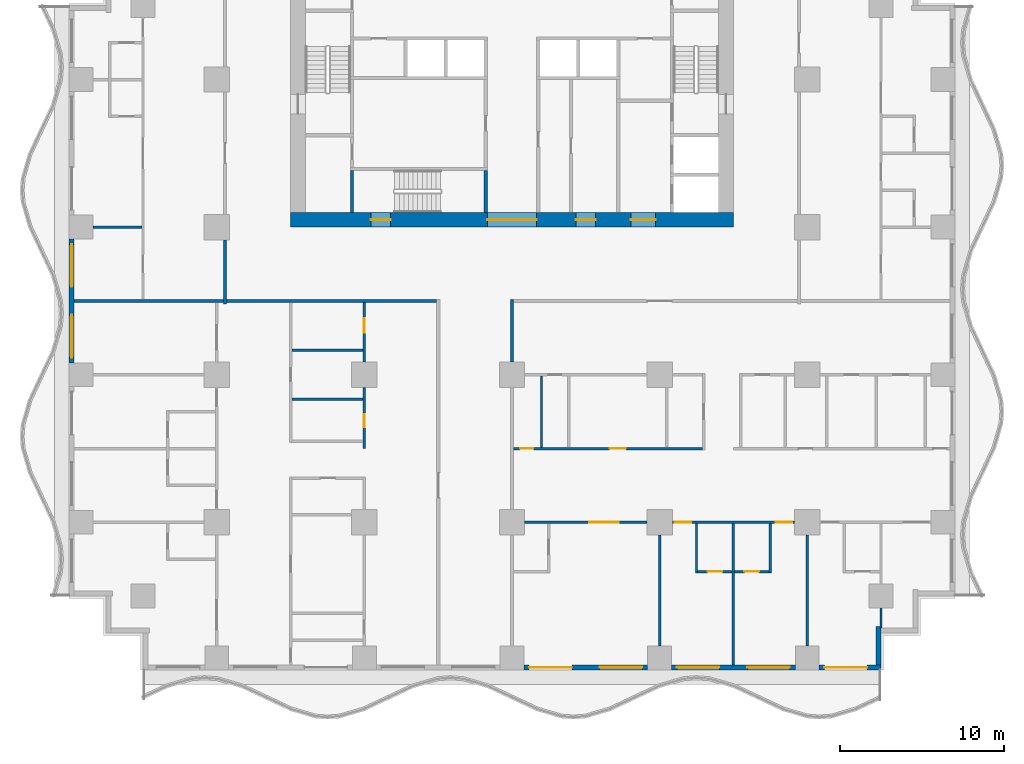
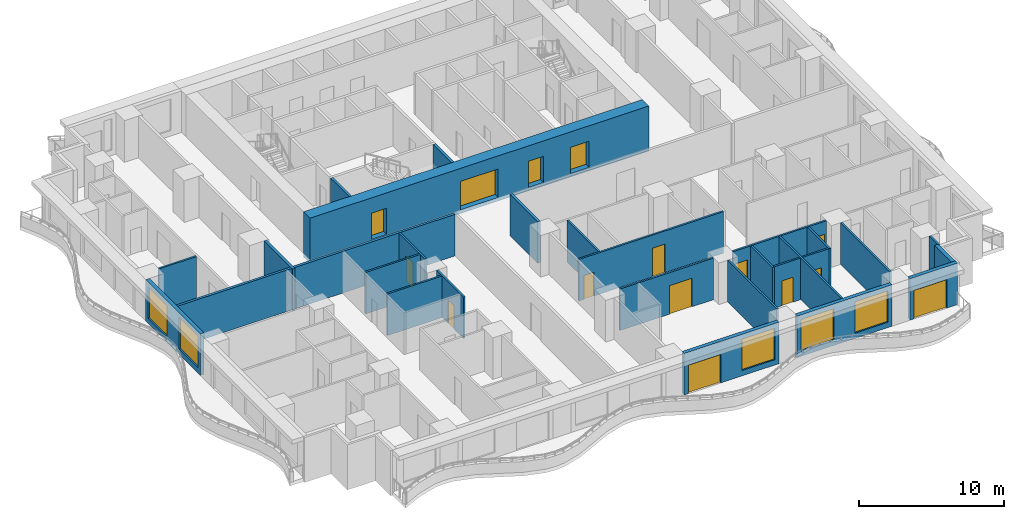
# One storey, part 3 of 14: 29 walls, 15 doors, 5 windows, 20 openings.
"""IFC4 building model written with IfcOpenShell, lengths in metres."""

from ifc_helpers import new_model, si_unit, direction, frame, frame_2d, origin, place, context, subcontext, project, spatial, rectangle, extrude, material, layer, layer_set, type_object, element, fill, save


model = new_model("IFC4")

# Units and contexts
model_context = context("Model", 3, precision=1e-05, world=origin(), true_north=direction((0.0, 1.0)))
body_context = subcontext(model_context, "Body", "Model", "MODEL_VIEW")
ifc_project = project(units=[si_unit("LENGTHUNIT", "METRE"), si_unit("AREAUNIT", "SQUARE_METRE"), si_unit("VOLUMEUNIT", "CUBIC_METRE"), si_unit("PLANEANGLEUNIT", "RADIAN"), si_unit("MASSUNIT", "GRAM", prefix="KILO")], contexts=[model_context])

# Site, building, storey
site_placement = place(None, origin())
site = spatial("IfcSite", under=ifc_project, at=site_placement, CompositionType="ELEMENT")
building_placement = place(site_placement, origin())
building = spatial("IfcBuilding", under=site, at=building_placement, Name="Orbiselva Terraces", CompositionType="ELEMENT")
storey_placement = place(building_placement, frame((0.0, 0.0, 30.2)))
storey = spatial("IfcBuildingStorey", under=building, at=storey_placement, Name="L07", CompositionType="ELEMENT", Elevation=30.2)

# Wall, openings, doors
ifc_material_1 = material(Name="Concrete C80/95", Category="concrete")
ifc_layer_1 = layer(ifc_material_1, 0.9)
ifc_layer_set_1 = layer_set([ifc_layer_1], Name="Concrete C80/95")
wall_type_1 = type_object("IfcWallType", Name="CORE WALL 900", PredefinedType="SHEAR", material=ifc_layer_set_1)
wall_1_placement = place(storey_placement, frame((-13.5, 4.95, -0.3), z_axis=(0.0, 0.0, 1.0), x_axis=(1.0, 0.0, 0.0)))
wall_1 = element("IfcWall", 1, at=wall_1_placement, inside=storey, type_object=wall_type_1, Name="Core wall L07 south", PredefinedType="SHEAR", context=body_context, shape_type="SweptSolid", body=[
    extrude(rectangle(XDim=27.0, YDim=0.9, at=frame_2d((13.5, 0.0))), origin(), (0.0, 0.0, 1.0), 3.8),
])
opening_1_placement = place(wall_1_placement, frame((12.0, 0.0, 0.3)))
opening_1 = element("IfcOpeningElement", 2, at=opening_1_placement, cuts=wall_1, Name="Opening DL3000", PredefinedType="OPENING", context=body_context, shape_type="SweptSolid", body=[
    extrude(rectangle(XDim=3.0, YDim=2.4, at=frame_2d((1.5, 1.2))), frame((0.0, 0.46, 0.0), z_axis=(0.0, -1.0, 0.0), x_axis=(1.0, 0.0, 0.0)), (0.0, 0.0, 1.0), 0.92),
])
opening_2_placement = place(wall_1_placement, frame((4.9, 0.0, 0.3)))
opening_2 = element("IfcOpeningElement", 3, at=opening_2_placement, cuts=wall_1, Name="Opening DS1200", PredefinedType="OPENING", context=body_context, shape_type="SweptSolid", body=[
    extrude(rectangle(XDim=1.2, YDim=2.2, at=frame_2d((0.6, 1.1))), frame((0.0, 0.46, 0.0), z_axis=(0.0, -1.0, 0.0), x_axis=(1.0, 0.0, 0.0)), (0.0, 0.0, 1.0), 0.92),
])
opening_3_placement = place(wall_1_placement, frame((20.75, 0.0, 0.3)))
opening_3 = element("IfcOpeningElement", 4, at=opening_3_placement, cuts=wall_1, Name="Opening DF1500", PredefinedType="OPENING", context=body_context, shape_type="SweptSolid", body=[
    extrude(rectangle(XDim=1.5, YDim=2.2, at=frame_2d((0.75, 1.1))), frame((0.0, 0.46, 0.0), z_axis=(0.0, -1.0, 0.0), x_axis=(1.0, 0.0, 0.0)), (0.0, 0.0, 1.0), 0.92),
])
opening_4_placement = place(wall_1_placement, frame((17.4, 0.0, 0.3)))
opening_4 = element("IfcOpeningElement", 5, at=opening_4_placement, cuts=wall_1, Name="Opening DV1200", PredefinedType="OPENING", context=body_context, shape_type="SweptSolid", body=[
    extrude(rectangle(XDim=1.2, YDim=2.2, at=frame_2d((0.6, 1.1))), frame((0.0, 0.46, 0.0), z_axis=(0.0, -1.0, 0.0), x_axis=(1.0, 0.0, 0.0)), (0.0, 0.0, 1.0), 0.92),
])
ifc_material_2 = material(Name="Steel fire door", Category="steel")
door_type_1 = type_object("IfcDoorType", Name="FFL DOOR 1500", OperationType="DOUBLE_DOOR_SINGLE_SWING", PredefinedType="DOOR", material=ifc_material_2)
door_1_placement = place(opening_3_placement, frame((1.5, 0.0, 0.0), z_axis=(0.0, 0.0, 1.0), x_axis=(-1.0, 0.0, 0.0)))
door_1 = element("IfcDoor", 6, at=door_1_placement, inside=storey, type_object=door_type_1, Name="L07 FIRE-FIGHTING LOBBY door", OperationType="DOUBLE_DOOR_SINGLE_SWING", OverallHeight=2.2, OverallWidth=1.5, PredefinedType="DOOR", context=body_context, shape_type="SweptSolid", body=[
    extrude(rectangle(XDim=1.5, YDim=2.2, at=frame_2d((0.75, 1.1))), frame((0.0, 0.025, 0.0), z_axis=(0.0, -1.0, 0.0), x_axis=(1.0, 0.0, 0.0)), (0.0, 0.0, 1.0), 0.05),
])
fill(opening_3, door_1)
door_type_2 = type_object("IfcDoorType", Name="LOBBY DOOR 3000", OperationType="DOUBLE_DOOR_SINGLE_SWING", PredefinedType="DOOR", material=ifc_material_2)
door_2_placement = place(opening_1_placement, frame((3.0, 0.0, 0.0), z_axis=(0.0, 0.0, 1.0), x_axis=(-1.0, 0.0, 0.0)))
door_2 = element("IfcDoor", 7, at=door_2_placement, inside=storey, type_object=door_type_2, Name="L07 LIFT LOBBY door", OperationType="DOUBLE_DOOR_SINGLE_SWING", OverallHeight=2.4, OverallWidth=3.0, PredefinedType="DOOR", context=body_context, shape_type="SweptSolid", body=[
    extrude(rectangle(XDim=3.0, YDim=2.4, at=frame_2d((1.5, 1.2))), frame((0.0, 0.025, 0.0), z_axis=(0.0, -1.0, 0.0), x_axis=(1.0, 0.0, 0.0)), (0.0, 0.0, 1.0), 0.05),
])
fill(opening_1, door_2)
door_type_3 = type_object("IfcDoorType", Name="SERVICE DOOR 1200", OperationType="NOTDEFINED", PredefinedType="DOOR", material=ifc_material_2)
door_3_placement = place(opening_4_placement, frame((1.2, 0.0, 0.0), z_axis=(0.0, 0.0, 1.0), x_axis=(-1.0, 0.0, 0.0)))
door_3 = element("IfcDoor", 8, at=door_3_placement, inside=storey, type_object=door_type_3, Name="L07 SERVICE ROOM door", OperationType="SINGLE_SWING_RIGHT", OverallHeight=2.2, OverallWidth=1.2, PredefinedType="DOOR", context=body_context, shape_type="SweptSolid", body=[
    extrude(rectangle(XDim=1.2, YDim=2.2, at=frame_2d((0.6, 1.1))), frame((0.0, 0.025, 0.0), z_axis=(0.0, -1.0, 0.0), x_axis=(1.0, 0.0, 0.0)), (0.0, 0.0, 1.0), 0.05),
])
fill(opening_4, door_3)
door_type_4 = type_object("IfcDoorType", Name="STAIR DOOR 1200", OperationType="NOTDEFINED", PredefinedType="DOOR", material=ifc_material_2)
door_4_placement = place(opening_2_placement, frame((1.2, 0.0, 0.0), z_axis=(0.0, 0.0, 1.0), x_axis=(-1.0, 0.0, 0.0)))
door_4 = element("IfcDoor", 9, at=door_4_placement, inside=storey, type_object=door_type_4, Name="L07 EXIT STAIR S3 door", OperationType="SINGLE_SWING_LEFT", OverallHeight=2.2, OverallWidth=1.2, PredefinedType="DOOR", context=body_context, shape_type="SweptSolid", body=[
    extrude(rectangle(XDim=1.2, YDim=2.2, at=frame_2d((0.6, 1.1))), frame((0.0, 0.025, 0.0), z_axis=(0.0, -1.0, 0.0), x_axis=(1.0, 0.0, 0.0)), (0.0, 0.0, 1.0), 0.05),
])
fill(opening_2, door_4)

# Walls
ifc_material_3 = material(Name="Concrete C60/75", Category="concrete")
ifc_layer_2 = layer(ifc_material_3, 0.2)
ifc_layer_set_2 = layer_set([ifc_layer_2], Name="Concrete C60/75")
wall_type_2 = type_object("IfcWallType", Name="CORE-WALL-SHEAR-200", PredefinedType="SHEAR", material=ifc_layer_set_2)
for number, where, z_axis, x_axis, name in (
    (10, (-9.75, 5.4, 0.0), (0.0, 0.0, 1.0), (0.0, 1.0, 0.0), "L07 core wall 03"),
    (11, (-1.6, 5.4, 0.0), (0.0, 0.0, 1.0), (0.0, 1.0, 0.0), "L07 core wall 19"),
):
    element("IfcWall", number, at=place(storey_placement, frame(where, z_axis=z_axis, x_axis=x_axis)), inside=storey, type_object=wall_type_2, Name=name, PredefinedType="SHEAR", context=body_context, shape_type="SweptSolid", body=[
        extrude(rectangle(XDim=2.55, YDim=0.2, at=frame_2d((1.275, 0.0))), origin(), (0.0, 0.0, 1.0), 3.5),
    ])

# Wall, openings, door, window
ifc_material_4 = material(Name="Terracotta cladding on masonry backing", Category="masonry")
ifc_layer_3 = layer(ifc_material_4, 0.3)
ifc_layer_set_3 = layer_set([ifc_layer_3], Name="Terracotta cladding on masonry backing")
wall_type_3 = type_object("IfcWallType", Name="ENV-WALL-TERRACOTTA-300", PredefinedType="SOLIDWALL", material=ifc_layer_set_3)
wall_2_placement = place(storey_placement, frame((8.275, -22.35, 0.0), z_axis=(0.0, 0.0, 1.0), x_axis=(-1.0, 0.0, 0.0)))
wall_2 = element("IfcWall", 12, at=wall_2_placement, inside=storey, type_object=wall_type_3, Name="Facade wall L07 S", PredefinedType="SOLIDWALL", context=body_context, shape_type="SweptSolid", body=[
    extrude(rectangle(XDim=7.55, YDim=0.3, at=frame_2d((3.775, 0.0))), origin(), (0.0, 0.0, 1.0), 3.5),
])
opening_5_placement = place(wall_2_placement, frame((4.625, 0.0, 0.0)))
opening_5 = element("IfcOpeningElement", 13, at=opening_5_placement, cuts=wall_2, Name="Opening Z1-B-E13", PredefinedType="OPENING", context=body_context, shape_type="SweptSolid", body=[
    extrude(rectangle(XDim=2.6, YDim=2.4, at=frame_2d((1.3, 1.2))), frame((0.0, 0.16, 0.0), z_axis=(0.0, -1.0, 0.0), x_axis=(1.0, 0.0, 0.0)), (0.0, 0.0, 1.0), 0.32),
])
opening_6_placement = place(wall_2_placement, frame((0.325, 0.0, 0.45)))
opening_6 = element("IfcOpeningElement", 14, at=opening_6_placement, cuts=wall_2, Name="Opening WN1", PredefinedType="OPENING", context=body_context, shape_type="SweptSolid", body=[
    extrude(rectangle(XDim=2.6, YDim=2.65, at=frame_2d((1.3, 1.325))), frame((0.0, 0.16, 0.0), z_axis=(0.0, -1.0, 0.0), x_axis=(1.0, 0.0, 0.0)), (0.0, 0.0, 1.0), 0.32),
])
ifc_material_5 = material(Name="Clear low-e glazing in aluminium frame", Category="aluminium")
door_type_5 = type_object("IfcDoorType", Name="BALCONY DOOR 2600 X 2400", OperationType="DOUBLE_DOOR_SLIDING", PredefinedType="DOOR", material=ifc_material_5)
door_5_placement = place(opening_5_placement, origin())
door_5 = element("IfcDoor", 15, at=door_5_placement, inside=storey, type_object=door_type_5, Name="Z1-B-E13", OperationType="SINGLE_SWING_LEFT", OverallHeight=2.4, OverallWidth=2.6, PredefinedType="DOOR", context=body_context, shape_type="SweptSolid", body=[
    extrude(rectangle(XDim=2.6, YDim=2.4, at=frame_2d((1.3, 1.2))), frame((0.0, 0.025, 0.0), z_axis=(0.0, -1.0, 0.0), x_axis=(1.0, 0.0, 0.0)), (0.0, 0.0, 1.0), 0.05),
])
fill(opening_5, door_5)
window_type = type_object("IfcWindowType", Name="WINDOW 2600 X 2650 S450", PartitioningType="TRIPLE_PANEL_VERTICAL", PredefinedType="WINDOW", material=ifc_material_5)
window_1_placement = place(opening_6_placement, origin())
window_1 = element("IfcWindow", 16, at=window_1_placement, inside=storey, type_object=window_type, Name="Window L07 S", OverallHeight=2.65, OverallWidth=2.6, PartitioningType="SINGLE_PANEL", PredefinedType="WINDOW", context=body_context, shape_type="SweptSolid", body=[
    extrude(rectangle(XDim=2.6, YDim=2.65, at=frame_2d((1.3, 1.325))), frame((0.0, 0.03, 0.0), z_axis=(0.0, -1.0, 0.0), x_axis=(1.0, 0.0, 0.0)), (0.0, 0.0, 1.0), 0.06),
])
fill(opening_6, window_1)

# Wall, openings, windows
wall_3_placement = place(storey_placement, frame((17.275, -22.35, 0.0), z_axis=(0.0, 0.0, 1.0), x_axis=(-1.0, 0.0, 0.0)))
wall_3 = element("IfcWall", 17, at=wall_3_placement, inside=storey, type_object=wall_type_3, Name="Facade wall L07 S", PredefinedType="SOLIDWALL", context=body_context, shape_type="SweptSolid", body=[
    extrude(rectangle(XDim=7.55, YDim=0.3, at=frame_2d((3.775, 0.0))), origin(), (0.0, 0.0, 1.0), 3.5),
])
opening_7_placement = place(wall_3_placement, frame((4.625, 0.0, 0.45)))
opening_7 = element("IfcOpeningElement", 18, at=opening_7_placement, cuts=wall_3, Name="Opening WN1", PredefinedType="OPENING", context=body_context, shape_type="SweptSolid", body=[
    extrude(rectangle(XDim=2.6, YDim=2.65, at=frame_2d((1.3, 1.325))), frame((0.0, 0.16, 0.0), z_axis=(0.0, -1.0, 0.0), x_axis=(1.0, 0.0, 0.0)), (0.0, 0.0, 1.0), 0.32),
])
opening_8_placement = place(wall_3_placement, frame((0.325, 0.0, 0.45)))
opening_8 = element("IfcOpeningElement", 19, at=opening_8_placement, cuts=wall_3, Name="Opening WN1", PredefinedType="OPENING", context=body_context, shape_type="SweptSolid", body=[
    extrude(rectangle(XDim=2.6, YDim=2.65, at=frame_2d((1.3, 1.325))), frame((0.0, 0.16, 0.0), z_axis=(0.0, -1.0, 0.0), x_axis=(1.0, 0.0, 0.0)), (0.0, 0.0, 1.0), 0.32),
])
window_2_placement = place(opening_7_placement, origin())
window_2 = element("IfcWindow", 20, at=window_2_placement, inside=storey, type_object=window_type, Name="Window L07 S", OverallHeight=2.65, OverallWidth=2.6, PartitioningType="SINGLE_PANEL", PredefinedType="WINDOW", context=body_context, shape_type="SweptSolid", body=[
    extrude(rectangle(XDim=2.6, YDim=2.65, at=frame_2d((1.3, 1.325))), frame((0.0, 0.03, 0.0), z_axis=(0.0, -1.0, 0.0), x_axis=(1.0, 0.0, 0.0)), (0.0, 0.0, 1.0), 0.06),
])
fill(opening_7, window_2)
window_3_placement = place(opening_8_placement, origin())
window_3 = element("IfcWindow", 21, at=window_3_placement, inside=storey, type_object=window_type, Name="Window L07 S", OverallHeight=2.65, OverallWidth=2.6, PartitioningType="SINGLE_PANEL", PredefinedType="WINDOW", context=body_context, shape_type="SweptSolid", body=[
    extrude(rectangle(XDim=2.6, YDim=2.65, at=frame_2d((1.3, 1.325))), frame((0.0, 0.03, 0.0), z_axis=(0.0, -1.0, 0.0), x_axis=(1.0, 0.0, 0.0)), (0.0, 0.0, 1.0), 0.06),
])
fill(opening_8, window_3)

# Wall, opening, door
wall_4_placement = place(storey_placement, frame((22.5, -22.35, 0.0), z_axis=(0.0, 0.0, 1.0), x_axis=(-1.0, 0.0, 0.0)))
wall_4 = element("IfcWall", 22, at=wall_4_placement, inside=storey, type_object=wall_type_3, Name="Facade wall L07 S", PredefinedType="SOLIDWALL", context=body_context, shape_type="SweptSolid", body=[
    extrude(rectangle(XDim=3.775, YDim=0.3, at=frame_2d((1.8875, 0.0))), origin(), (0.0, 0.0, 1.0), 3.5),
])
opening_9_placement = place(wall_4_placement, frame((0.85, 0.0, 0.0)))
opening_9 = element("IfcOpeningElement", 23, at=opening_9_placement, cuts=wall_4, Name="Opening Z1-B-E04", PredefinedType="OPENING", context=body_context, shape_type="SweptSolid", body=[
    extrude(rectangle(XDim=2.6, YDim=2.4, at=frame_2d((1.3, 1.2))), frame((0.0, 0.16, 0.0), z_axis=(0.0, -1.0, 0.0), x_axis=(1.0, 0.0, 0.0)), (0.0, 0.0, 1.0), 0.32),
])
door_6_placement = place(opening_9_placement, origin())
door_6 = element("IfcDoor", 24, at=door_6_placement, inside=storey, type_object=door_type_5, Name="Z1-B-E04", OperationType="SINGLE_SWING_LEFT", OverallHeight=2.4, OverallWidth=2.6, PredefinedType="DOOR", context=body_context, shape_type="SweptSolid", body=[
    extrude(rectangle(XDim=2.6, YDim=2.4, at=frame_2d((1.3, 1.2))), frame((0.0, 0.025, 0.0), z_axis=(0.0, -1.0, 0.0), x_axis=(1.0, 0.0, 0.0)), (0.0, 0.0, 1.0), 0.05),
])
fill(opening_9, door_6)

# Wall
wall_5_placement = place(storey_placement, frame((22.35, -19.85, 0.0), z_axis=(0.0, 0.0, 1.0), x_axis=(0.0, -1.0, 0.0)))
element("IfcWall", 25, at=wall_5_placement, inside=storey, type_object=wall_type_3, Name="Facade wall L07 STEP", PredefinedType="SOLIDWALL", context=body_context, shape_type="SweptSolid", body=[
    extrude(rectangle(XDim=2.35, YDim=0.3, at=frame_2d((1.175, 0.0))), origin(), (0.0, 0.0, 1.0), 3.5),
])

# Wall, openings, windows
wall_6_placement = place(storey_placement, frame((-26.85, -3.775, 0.0), z_axis=(0.0, 0.0, 1.0), x_axis=(0.0, 1.0, 0.0)))
wall_6 = element("IfcWall", 26, at=wall_6_placement, inside=storey, type_object=wall_type_3, Name="Facade wall L07 W", PredefinedType="SOLIDWALL", context=body_context, shape_type="SweptSolid", body=[
    extrude(rectangle(XDim=7.55, YDim=0.3, at=frame_2d((3.775, 0.0))), origin(), (0.0, 0.0, 1.0), 3.5),
])
opening_10_placement = place(wall_6_placement, frame((4.625, 0.0, 0.45)))
opening_10 = element("IfcOpeningElement", 27, at=opening_10_placement, cuts=wall_6, Name="Opening WN1", PredefinedType="OPENING", context=body_context, shape_type="SweptSolid", body=[
    extrude(rectangle(XDim=2.6, YDim=2.65, at=frame_2d((1.3, 1.325))), frame((0.0, 0.16, 0.0), z_axis=(0.0, -1.0, 0.0), x_axis=(1.0, 0.0, 0.0)), (0.0, 0.0, 1.0), 0.32),
])
opening_11_placement = place(wall_6_placement, frame((0.325, 0.0, 0.45)))
opening_11 = element("IfcOpeningElement", 28, at=opening_11_placement, cuts=wall_6, Name="Opening WN1", PredefinedType="OPENING", context=body_context, shape_type="SweptSolid", body=[
    extrude(rectangle(XDim=2.6, YDim=2.65, at=frame_2d((1.3, 1.325))), frame((0.0, 0.16, 0.0), z_axis=(0.0, -1.0, 0.0), x_axis=(1.0, 0.0, 0.0)), (0.0, 0.0, 1.0), 0.32),
])
window_4_placement = place(opening_10_placement, origin())
window_4 = element("IfcWindow", 29, at=window_4_placement, inside=storey, type_object=window_type, Name="Window L07 W", OverallHeight=2.65, OverallWidth=2.6, PartitioningType="SINGLE_PANEL", PredefinedType="WINDOW", context=body_context, shape_type="SweptSolid", body=[
    extrude(rectangle(XDim=2.6, YDim=2.65, at=frame_2d((1.3, 1.325))), frame((0.0, 0.03, 0.0), z_axis=(0.0, -1.0, 0.0), x_axis=(1.0, 0.0, 0.0)), (0.0, 0.0, 1.0), 0.06),
])
fill(opening_10, window_4)
window_5_placement = place(opening_11_placement, origin())
window_5 = element("IfcWindow", 30, at=window_5_placement, inside=storey, type_object=window_type, Name="Window L07 W", OverallHeight=2.65, OverallWidth=2.6, PartitioningType="SINGLE_PANEL", PredefinedType="WINDOW", context=body_context, shape_type="SweptSolid", body=[
    extrude(rectangle(XDim=2.6, YDim=2.65, at=frame_2d((1.3, 1.325))), frame((0.0, 0.03, 0.0), z_axis=(0.0, -1.0, 0.0), x_axis=(1.0, 0.0, 0.0)), (0.0, 0.0, 1.0), 0.06),
])
fill(opening_11, window_5)

# Walls
ifc_material_6 = material(Name="Plasterboard on steel stud partition", Category="steel")
ifc_layer_4 = layer(ifc_material_6, 0.2)
ifc_layer_set_4 = layer_set([ifc_layer_4], Name="Plasterboard on steel stud partition")
wall_type_4 = type_object("IfcWallType", Name="UNIT-ENTRANCE-WALL-200", PredefinedType="PARTITIONING", material=ifc_layer_set_4)
wall_7_placement = place(storey_placement, frame((-17.4, 0.0, 0.0), z_axis=(0.0, 0.0, 1.0), x_axis=(1.0, 0.0, 0.0)))
element("IfcWall", 31, at=wall_7_placement, inside=storey, type_object=wall_type_4, Name="PARTITION L07-028", PredefinedType="PARTITIONING", context=body_context, shape_type="SweptSolid", body=[
    extrude(rectangle(XDim=12.8, YDim=0.2, at=frame_2d((6.4, 0.0))), origin(), (0.0, 0.0, 1.0), 3.5),
])
wall_8_placement = place(storey_placement, frame((-17.5, -0.2, 0.0), z_axis=(0.0, 0.0, 1.0), x_axis=(0.0, 1.0, 0.0)))
element("IfcWall", 32, at=wall_8_placement, inside=storey, type_object=wall_type_4, Name="PARTITION L07-049", PredefinedType="PARTITIONING", context=body_context, shape_type="SweptSolid", body=[
    extrude(rectangle(XDim=3.925, YDim=0.2, at=frame_2d((1.9625, 0.0))), origin(), (0.0, 0.0, 1.0), 3.5),
])
wall_9_placement = place(storey_placement, frame((0.0, -3.725, 0.0), z_axis=(0.0, 0.0, 1.0), x_axis=(0.0, 1.0, 0.0)))
element("IfcWall", 33, at=wall_9_placement, inside=storey, type_object=wall_type_4, Name="PARTITION L07-061", PredefinedType="PARTITIONING", context=body_context, shape_type="SweptSolid", body=[
    extrude(rectangle(XDim=3.825, YDim=0.2, at=frame_2d((1.9125, 0.0))), origin(), (0.0, 0.0, 1.0), 3.5),
])

# Wall, opening, door
ifc_layer_5 = layer(ifc_material_6, 0.15)
ifc_layer_set_5 = layer_set([ifc_layer_5], Name="Plasterboard on steel stud partition")
wall_type_5 = type_object("IfcWallType", Name="UNIT-PARTITION-150", PredefinedType="PARTITIONING", material=ifc_layer_set_5)
wall_10_placement = place(storey_placement, frame((11.325, -16.5, 0.0), z_axis=(0.0, 0.0, 1.0), x_axis=(1.0, 0.0, 0.0)))
wall_10 = element("IfcWall", 34, at=wall_10_placement, inside=storey, type_object=wall_type_5, Name="PARTITION L07-004", PredefinedType="PARTITIONING", context=body_context, shape_type="SweptSolid", body=[
    extrude(rectangle(XDim=2.1, YDim=0.15, at=frame_2d((1.05, 0.0))), origin(), (0.0, 0.0, 1.0), 3.5),
])
opening_12_placement = place(wall_10_placement, frame((0.6, 0.0, 0.0)))
opening_12 = element("IfcOpeningElement", 35, at=opening_12_placement, cuts=wall_10, Name="Opening Z1-B-41", PredefinedType="OPENING", context=body_context, shape_type="SweptSolid", body=[
    extrude(rectangle(XDim=0.9, YDim=2.1, at=frame_2d((0.45, 1.05))), frame((0.0, 0.085, 0.0), z_axis=(0.0, -1.0, 0.0), x_axis=(1.0, 0.0, 0.0)), (0.0, 0.0, 1.0), 0.17),
])
ifc_material_7 = material(Name="Painted timber door leaf", Category="wood")
door_type_6 = type_object("IfcDoorType", Name="BATH DOOR 900", OperationType="NOTDEFINED", PredefinedType="DOOR", material=ifc_material_7)
door_7_placement = place(opening_12_placement, origin())
door_7 = element("IfcDoor", 36, at=door_7_placement, inside=storey, type_object=door_type_6, Name="Z1-B-41", OperationType="SINGLE_SWING_LEFT", OverallHeight=2.1, OverallWidth=0.9, PredefinedType="DOOR", context=body_context, shape_type="SweptSolid", body=[
    extrude(rectangle(XDim=0.9, YDim=2.1, at=frame_2d((0.45, 1.05))), frame((0.0, 0.025, 0.0), z_axis=(0.0, -1.0, 0.0), x_axis=(1.0, 0.0, 0.0)), (0.0, 0.0, 1.0), 0.05),
])
fill(opening_12, door_7)

wall_11_placement = place(storey_placement, frame((13.575, -16.5, 0.0), z_axis=(0.0, 0.0, 1.0), x_axis=(1.0, 0.0, 0.0)))
wall_11 = element("IfcWall", 37, at=wall_11_placement, inside=storey, type_object=wall_type_5, Name="PARTITION L07-005", PredefinedType="PARTITIONING", context=body_context, shape_type="SweptSolid", body=[
    extrude(rectangle(XDim=2.1, YDim=0.15, at=frame_2d((1.05, 0.0))), origin(), (0.0, 0.0, 1.0), 3.5),
])
opening_13_placement = place(wall_11_placement, frame((0.6, 0.0, 0.0)))
opening_13 = element("IfcOpeningElement", 38, at=opening_13_placement, cuts=wall_11, Name="Opening Z1-B-43", PredefinedType="OPENING", context=body_context, shape_type="SweptSolid", body=[
    extrude(rectangle(XDim=0.9, YDim=2.1, at=frame_2d((0.45, 1.05))), frame((0.0, 0.085, 0.0), z_axis=(0.0, -1.0, 0.0), x_axis=(1.0, 0.0, 0.0)), (0.0, 0.0, 1.0), 0.17),
])
door_8_placement = place(opening_13_placement, origin())
door_8 = element("IfcDoor", 39, at=door_8_placement, inside=storey, type_object=door_type_6, Name="Z1-B-43", OperationType="SINGLE_SWING_LEFT", OverallHeight=2.1, OverallWidth=0.9, PredefinedType="DOOR", context=body_context, shape_type="SweptSolid", body=[
    extrude(rectangle(XDim=0.9, YDim=2.1, at=frame_2d((0.45, 1.05))), frame((0.0, 0.025, 0.0), z_axis=(0.0, -1.0, 0.0), x_axis=(1.0, 0.0, 0.0)), (0.0, 0.0, 1.0), 0.05),
])
fill(opening_13, door_8)

wall_12_placement = place(storey_placement, frame((8.225, -13.5, 0.0), z_axis=(0.0, 0.0, 1.0), x_axis=(-1.0, 0.0, 0.0)))
wall_12 = element("IfcWall", 40, at=wall_12_placement, inside=storey, type_object=wall_type_5, Name="PARTITION L07-009", PredefinedType="PARTITIONING", context=body_context, shape_type="SweptSolid", body=[
    extrude(rectangle(XDim=7.45, YDim=0.15, at=frame_2d((3.725, 0.0))), origin(), (0.0, 0.0, 1.0), 3.5),
])
opening_14_placement = place(wall_12_placement, frame((1.725, 0.0, 0.0)))
opening_14 = element("IfcOpeningElement", 41, at=opening_14_placement, cuts=wall_12, Name="Opening Z1-B-38", PredefinedType="OPENING", context=body_context, shape_type="SweptSolid", body=[
    extrude(rectangle(XDim=1.8, YDim=2.4, at=frame_2d((0.9, 1.2))), frame((0.0, 0.085, 0.0), z_axis=(0.0, -1.0, 0.0), x_axis=(1.0, 0.0, 0.0)), (0.0, 0.0, 1.0), 0.17),
])
door_type_7 = type_object("IfcDoorType", Name="DOUBLE DOOR 1800", OperationType="NOTDEFINED", PredefinedType="DOOR", material=ifc_material_7)
door_9_placement = place(opening_14_placement, origin())
door_9 = element("IfcDoor", 42, at=door_9_placement, inside=storey, type_object=door_type_7, Name="Z1-B-38", OperationType="DOUBLE_DOOR_SINGLE_SWING", OverallHeight=2.4, OverallWidth=1.8, PredefinedType="DOOR", context=body_context, shape_type="SweptSolid", body=[
    extrude(rectangle(XDim=1.8, YDim=2.4, at=frame_2d((0.9, 1.2))), frame((0.0, 0.025, 0.0), z_axis=(0.0, -1.0, 0.0), x_axis=(1.0, 0.0, 0.0)), (0.0, 0.0, 1.0), 0.05),
])
fill(opening_14, door_9)

# Wall, openings, doors
wall_13_placement = place(storey_placement, frame((17.225, -13.5, 0.0), z_axis=(0.0, 0.0, 1.0), x_axis=(-1.0, 0.0, 0.0)))
wall_13 = element("IfcWall", 43, at=wall_13_placement, inside=storey, type_object=wall_type_5, Name="PARTITION L07-010", PredefinedType="PARTITIONING", context=body_context, shape_type="SweptSolid", body=[
    extrude(rectangle(XDim=7.45, YDim=0.15, at=frame_2d((3.725, 0.0))), origin(), (0.0, 0.0, 1.0), 3.5),
])
opening_15_placement = place(wall_13_placement, frame((6.3, 0.0, 0.0)))
opening_15 = element("IfcOpeningElement", 44, at=opening_15_placement, cuts=wall_13, Name="Opening Z1-B-40", PredefinedType="OPENING", context=body_context, shape_type="SweptSolid", body=[
    extrude(rectangle(XDim=1.0, YDim=2.4, at=frame_2d((0.5, 1.2))), frame((0.0, 0.085, 0.0), z_axis=(0.0, -1.0, 0.0), x_axis=(1.0, 0.0, 0.0)), (0.0, 0.0, 1.0), 0.17),
])
opening_16_placement = place(wall_13_placement, frame((0.15, 0.0, 0.0)))
opening_16 = element("IfcOpeningElement", 45, at=opening_16_placement, cuts=wall_13, Name="Opening Z1-B-42", PredefinedType="OPENING", context=body_context, shape_type="SweptSolid", body=[
    extrude(rectangle(XDim=1.0, YDim=2.4, at=frame_2d((0.5, 1.2))), frame((0.0, 0.085, 0.0), z_axis=(0.0, -1.0, 0.0), x_axis=(1.0, 0.0, 0.0)), (0.0, 0.0, 1.0), 0.17),
])
door_type_8 = type_object("IfcDoorType", Name="ROOM DOOR 1000", OperationType="NOTDEFINED", PredefinedType="DOOR", material=ifc_material_7)
door_10_placement = place(opening_15_placement, origin())
door_10 = element("IfcDoor", 46, at=door_10_placement, inside=storey, type_object=door_type_8, Name="Z1-B-40", OperationType="SINGLE_SWING_RIGHT", OverallHeight=2.4, OverallWidth=1.0, PredefinedType="DOOR", context=body_context, shape_type="SweptSolid", body=[
    extrude(rectangle(XDim=1.0, YDim=2.4, at=frame_2d((0.5, 1.2))), frame((0.0, 0.025, 0.0), z_axis=(0.0, -1.0, 0.0), x_axis=(1.0, 0.0, 0.0)), (0.0, 0.0, 1.0), 0.05),
])
fill(opening_15, door_10)
door_11_placement = place(opening_16_placement, origin())
door_11 = element("IfcDoor", 47, at=door_11_placement, inside=storey, type_object=door_type_8, Name="Z1-B-42", OperationType="SINGLE_SWING_LEFT", OverallHeight=2.4, OverallWidth=1.0, PredefinedType="DOOR", context=body_context, shape_type="SweptSolid", body=[
    extrude(rectangle(XDim=1.0, YDim=2.4, at=frame_2d((0.5, 1.2))), frame((0.0, 0.025, 0.0), z_axis=(0.0, -1.0, 0.0), x_axis=(1.0, 0.0, 0.0)), (0.0, 0.0, 1.0), 0.05),
])
fill(opening_16, door_11)

wall_14_placement = place(storey_placement, frame((0.1, -9.0, 0.0), z_axis=(0.0, 0.0, 1.0), x_axis=(1.0, 0.0, 0.0)))
wall_14 = element("IfcWall", 48, at=wall_14_placement, inside=storey, type_object=wall_type_5, Name="PARTITION L07-017", PredefinedType="PARTITIONING", context=body_context, shape_type="SweptSolid", body=[
    extrude(rectangle(XDim=11.525, YDim=0.15, at=frame_2d((5.7625, 0.0))), origin(), (0.0, 0.0, 1.0), 3.5),
])
opening_17_placement = place(wall_14_placement, frame((0.4, 0.0, 0.0)))
opening_17 = element("IfcOpeningElement", 49, at=opening_17_placement, cuts=wall_14, Name="Opening Z1-B-29", PredefinedType="OPENING", context=body_context, shape_type="SweptSolid", body=[
    extrude(rectangle(XDim=0.8, YDim=2.0, at=frame_2d((0.4, 1.0))), frame((0.0, 0.085, 0.0), z_axis=(0.0, -1.0, 0.0), x_axis=(1.0, 0.0, 0.0)), (0.0, 0.0, 1.0), 0.17),
])
opening_18_placement = place(wall_14_placement, frame((5.85, 0.0, 0.0)))
opening_18 = element("IfcOpeningElement", 50, at=opening_18_placement, cuts=wall_14, Name="Opening Z1-B-31", PredefinedType="OPENING", context=body_context, shape_type="SweptSolid", body=[
    extrude(rectangle(XDim=1.0, YDim=2.4, at=frame_2d((0.5, 1.2))), frame((0.0, 0.085, 0.0), z_axis=(0.0, -1.0, 0.0), x_axis=(1.0, 0.0, 0.0)), (0.0, 0.0, 1.0), 0.17),
])
door_12_placement = place(opening_18_placement, origin())
door_12 = element("IfcDoor", 51, at=door_12_placement, inside=storey, type_object=door_type_8, Name="Z1-B-31", OperationType="SINGLE_SWING_RIGHT", OverallHeight=2.4, OverallWidth=1.0, PredefinedType="DOOR", context=body_context, shape_type="SweptSolid", body=[
    extrude(rectangle(XDim=1.0, YDim=2.4, at=frame_2d((0.5, 1.2))), frame((0.0, 0.025, 0.0), z_axis=(0.0, -1.0, 0.0), x_axis=(1.0, 0.0, 0.0)), (0.0, 0.0, 1.0), 0.05),
])
fill(opening_18, door_12)
door_type_9 = type_object("IfcDoorType", Name="STORE DOOR 800", OperationType="NOTDEFINED", PredefinedType="DOOR", material=ifc_material_7)
door_13_placement = place(opening_17_placement, origin())
door_13 = element("IfcDoor", 52, at=door_13_placement, inside=storey, type_object=door_type_9, Name="Z1-B-29", OperationType="SINGLE_SWING_LEFT", OverallHeight=2.0, OverallWidth=0.8, PredefinedType="DOOR", context=body_context, shape_type="SweptSolid", body=[
    extrude(rectangle(XDim=0.8, YDim=2.0, at=frame_2d((0.4, 1.0))), frame((0.0, 0.025, 0.0), z_axis=(0.0, -1.0, 0.0), x_axis=(1.0, 0.0, 0.0)), (0.0, 0.0, 1.0), 0.05),
])
fill(opening_17, door_13)

# Walls
for number, where, z_axis, x_axis, name in (
    (53, (-13.425, -6.0, 0.0), (0.0, 0.0, 1.0), (1.0, 0.0, 0.0), "PARTITION L07-021"),
    (54, (-13.425, -3.0, 0.0), (0.0, 0.0, 1.0), (1.0, 0.0, 0.0), "PARTITION L07-027"),
):
    element("IfcWall", number, at=place(storey_placement, frame(where, z_axis=z_axis, x_axis=x_axis)), inside=storey, type_object=wall_type_5, Name=name, PredefinedType="PARTITIONING", context=body_context, shape_type="SweptSolid", body=[
        extrude(rectangle(XDim=4.35, YDim=0.15, at=frame_2d((2.175, 0.0))), origin(), (0.0, 0.0, 1.0), 3.5),
    ])
wall_15_placement = place(storey_placement, frame((-25.55, 4.5, 0.0), z_axis=(0.0, 0.0, 1.0), x_axis=(1.0, 0.0, 0.0)))
element("IfcWall", 55, at=wall_15_placement, inside=storey, type_object=wall_type_5, Name="PARTITION L07-032", PredefinedType="PARTITIONING", context=body_context, shape_type="SweptSolid", body=[
    extrude(rectangle(XDim=2.975, YDim=0.15, at=frame_2d((1.4875, 0.0))), origin(), (0.0, 0.0, 1.0), 3.5),
])

# Wall, opening, door
wall_16_placement = place(storey_placement, frame((-9.0, -9.0, 0.0), z_axis=(0.0, 0.0, 1.0), x_axis=(0.0, 1.0, 0.0)))
wall_16 = element("IfcWall", 56, at=wall_16_placement, inside=storey, type_object=wall_type_5, Name="PARTITION L07-056", PredefinedType="PARTITIONING", context=body_context, shape_type="SweptSolid", body=[
    extrude(rectangle(XDim=3.725, YDim=0.15, at=frame_2d((1.8625, 0.0))), origin(), (0.0, 0.0, 1.0), 3.5),
])
opening_19_placement = place(wall_16_placement, frame((1.3, 0.0, 0.0)))
opening_19 = element("IfcOpeningElement", 57, at=opening_19_placement, cuts=wall_16, Name="Opening Z1-B-18", PredefinedType="OPENING", context=body_context, shape_type="SweptSolid", body=[
    extrude(rectangle(XDim=0.8, YDim=2.0, at=frame_2d((0.4, 1.0))), frame((0.0, 0.085, 0.0), z_axis=(0.0, -1.0, 0.0), x_axis=(1.0, 0.0, 0.0)), (0.0, 0.0, 1.0), 0.17),
])
door_14_placement = place(opening_19_placement, origin())
door_14 = element("IfcDoor", 58, at=door_14_placement, inside=storey, type_object=door_type_9, Name="Z1-B-18", OperationType="SINGLE_SWING_LEFT", OverallHeight=2.0, OverallWidth=0.8, PredefinedType="DOOR", context=body_context, shape_type="SweptSolid", body=[
    extrude(rectangle(XDim=0.8, YDim=2.0, at=frame_2d((0.4, 1.0))), frame((0.0, 0.025, 0.0), z_axis=(0.0, -1.0, 0.0), x_axis=(1.0, 0.0, 0.0)), (0.0, 0.0, 1.0), 0.05),
])
fill(opening_19, door_14)

wall_17_placement = place(storey_placement, frame((-9.0, -3.725, 0.0), z_axis=(0.0, 0.0, 1.0), x_axis=(0.0, 1.0, 0.0)))
wall_17 = element("IfcWall", 59, at=wall_17_placement, inside=storey, type_object=wall_type_5, Name="PARTITION L07-057", PredefinedType="PARTITIONING", context=body_context, shape_type="SweptSolid", body=[
    extrude(rectangle(XDim=3.625, YDim=0.15, at=frame_2d((1.8125, 0.0))), origin(), (0.0, 0.0, 1.0), 3.5),
])
opening_20_placement = place(wall_17_placement, frame((1.775, 0.0, 0.0)))
opening_20 = element("IfcOpeningElement", 60, at=opening_20_placement, cuts=wall_17, Name="Opening Z1-B-20", PredefinedType="OPENING", context=body_context, shape_type="SweptSolid", body=[
    extrude(rectangle(XDim=0.9, YDim=2.1, at=frame_2d((0.45, 1.05))), frame((0.0, 0.085, 0.0), z_axis=(0.0, -1.0, 0.0), x_axis=(1.0, 0.0, 0.0)), (0.0, 0.0, 1.0), 0.17),
])
door_type_10 = type_object("IfcDoorType", Name="SERVICE DOOR 900", OperationType="NOTDEFINED", PredefinedType="DOOR", material=ifc_material_7)
door_15_placement = place(opening_20_placement, origin())
door_15 = element("IfcDoor", 61, at=door_15_placement, inside=storey, type_object=door_type_10, Name="Z1-B-20", OperationType="SINGLE_SWING_RIGHT", OverallHeight=2.1, OverallWidth=0.9, PredefinedType="DOOR", context=body_context, shape_type="SweptSolid", body=[
    extrude(rectangle(XDim=0.9, YDim=2.1, at=frame_2d((0.45, 1.05))), frame((0.0, 0.025, 0.0), z_axis=(0.0, -1.0, 0.0), x_axis=(1.0, 0.0, 0.0)), (0.0, 0.0, 1.0), 0.05),
])
fill(opening_20, door_15)

# Walls
wall_18_placement = place(storey_placement, frame((1.8, -8.925, 0.0), z_axis=(0.0, 0.0, 1.0), x_axis=(0.0, 1.0, 0.0)))
element("IfcWall", 62, at=wall_18_placement, inside=storey, type_object=wall_type_5, Name="PARTITION L07-062", PredefinedType="PARTITIONING", context=body_context, shape_type="SweptSolid", body=[
    extrude(rectangle(XDim=4.35, YDim=0.15, at=frame_2d((2.175, 0.0))), origin(), (0.0, 0.0, 1.0), 3.5),
])
wall_19_placement = place(storey_placement, frame((9.0, -21.05, 0.0), z_axis=(0.0, 0.0, 1.0), x_axis=(0.0, 1.0, 0.0)))
element("IfcWall", 63, at=wall_19_placement, inside=storey, type_object=wall_type_5, Name="PARTITION L07-065", PredefinedType="PARTITIONING", context=body_context, shape_type="SweptSolid", body=[
    extrude(rectangle(XDim=6.775, YDim=0.15, at=frame_2d((3.3875, 0.0))), origin(), (0.0, 0.0, 1.0), 3.5),
])
wall_20_placement = place(storey_placement, frame((11.25, -16.575, 0.0), z_axis=(0.0, 0.0, 1.0), x_axis=(0.0, 1.0, 0.0)))
element("IfcWall", 64, at=wall_20_placement, inside=storey, type_object=wall_type_5, Name="PARTITION L07-067", PredefinedType="PARTITIONING", context=body_context, shape_type="SweptSolid", body=[
    extrude(rectangle(XDim=3.0, YDim=0.15, at=frame_2d((1.5, 0.0))), origin(), (0.0, 0.0, 1.0), 3.5),
])
wall_21_placement = place(storey_placement, frame((13.5, -22.2, 0.0), z_axis=(0.0, 0.0, 1.0), x_axis=(0.0, 1.0, 0.0)))
element("IfcWall", 65, at=wall_21_placement, inside=storey, type_object=wall_type_5, Name="PARTITION L07-069", PredefinedType="PARTITIONING", context=body_context, shape_type="SweptSolid", body=[
    extrude(rectangle(XDim=8.625, YDim=0.15, at=frame_2d((4.3125, 0.0))), origin(), (0.0, 0.0, 1.0), 3.5),
])
wall_22_placement = place(storey_placement, frame((15.75, -16.575, 0.0), z_axis=(0.0, 0.0, 1.0), x_axis=(0.0, 1.0, 0.0)))
element("IfcWall", 66, at=wall_22_placement, inside=storey, type_object=wall_type_5, Name="PARTITION L07-071", PredefinedType="PARTITIONING", context=body_context, shape_type="SweptSolid", body=[
    extrude(rectangle(XDim=3.0, YDim=0.15, at=frame_2d((1.5, 0.0))), origin(), (0.0, 0.0, 1.0), 3.5),
])
wall_23_placement = place(storey_placement, frame((18.0, -21.05, 0.0), z_axis=(0.0, 0.0, 1.0), x_axis=(0.0, 1.0, 0.0)))
element("IfcWall", 67, at=wall_23_placement, inside=storey, type_object=wall_type_5, Name="PARTITION L07-076", PredefinedType="PARTITIONING", context=body_context, shape_type="SweptSolid", body=[
    extrude(rectangle(XDim=6.775, YDim=0.15, at=frame_2d((3.3875, 0.0))), origin(), (0.0, 0.0, 1.0), 3.5),
])
wall_24_placement = place(storey_placement, frame((22.5, -19.95, 0.0), z_axis=(0.0, 0.0, 1.0), x_axis=(0.0, 1.0, 0.0)))
element("IfcWall", 68, at=wall_24_placement, inside=storey, type_object=wall_type_5, Name="PARTITION L07-080", PredefinedType="PARTITIONING", context=body_context, shape_type="SweptSolid", body=[
    extrude(rectangle(XDim=1.225, YDim=0.15, at=frame_2d((0.6125, 0.0))), origin(), (0.0, 0.0, 1.0), 3.5),
])
ifc_layer_6 = layer(ifc_material_6, 0.2)
ifc_layer_set_6 = layer_set([ifc_layer_6], Name="Plasterboard on steel stud partition")
wall_type_6 = type_object("IfcWallType", Name="UNIT-PARTY-WALL-200", PredefinedType="PARTITIONING", material=ifc_layer_set_6)
wall_25_placement = place(storey_placement, frame((-26.7, 0.0, 0.0), z_axis=(0.0, 0.0, 1.0), x_axis=(1.0, 0.0, 0.0)))
element("IfcWall", 69, at=wall_25_placement, inside=storey, type_object=wall_type_6, Name="PARTITION L07-030", PredefinedType="PARTITIONING", context=body_context, shape_type="SweptSolid", body=[
    extrude(rectangle(XDim=9.1, YDim=0.2, at=frame_2d((4.55, 0.0))), origin(), (0.0, 0.0, 1.0), 3.5),
])

save(model, "model.ifc")
